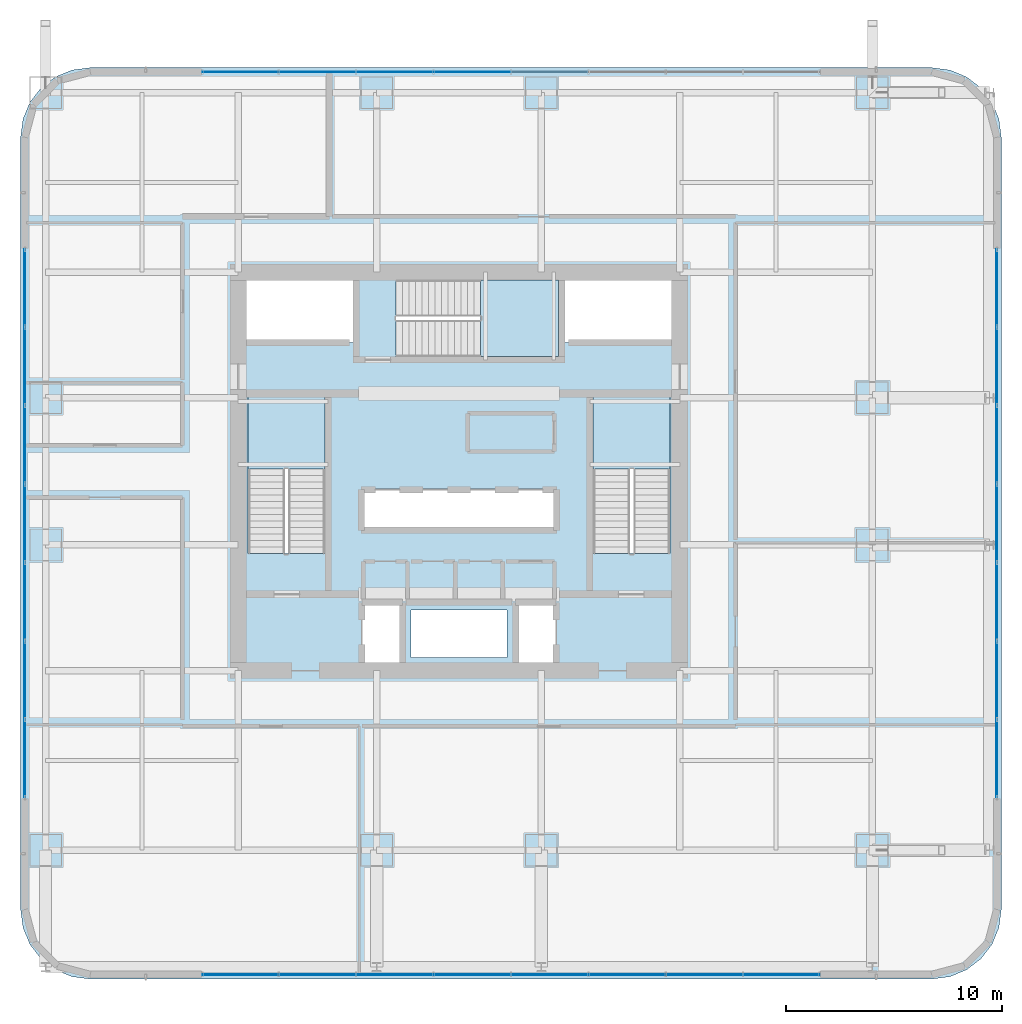
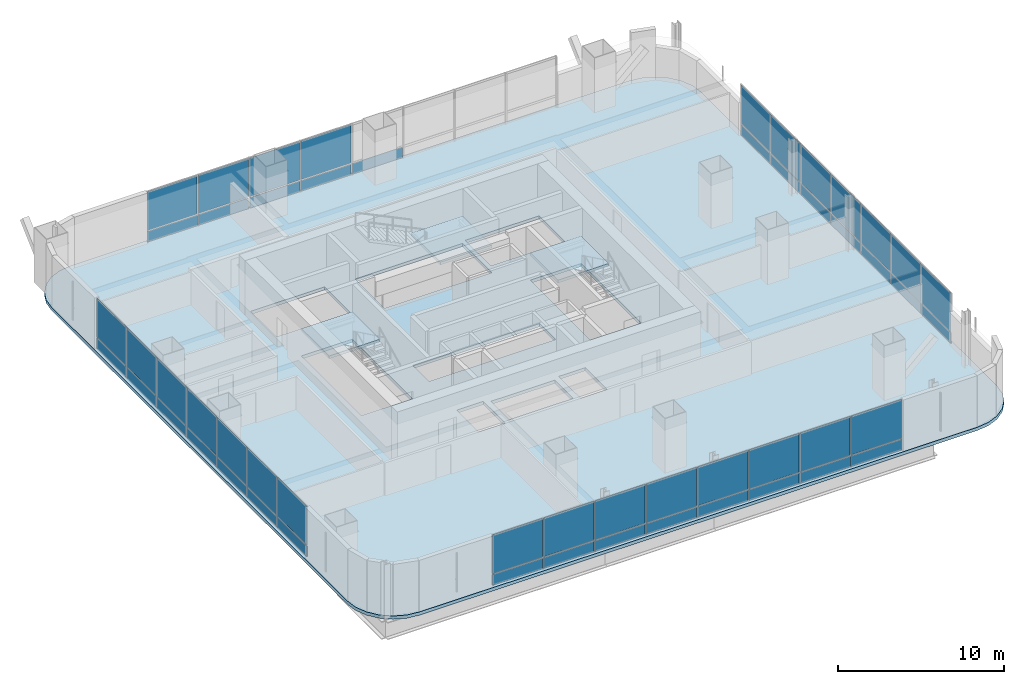
# One storey, part 25 of 42: 53 plates, 4 slabs, 7 elements without a shape of their own.
"""IFC4 building model written with IfcOpenShell, lengths in metres."""

from ifc_helpers import new_model, si_unit, direction, frame, origin, origin_2d, place, context, subcontext, project, spatial, polyline, rectangle, outline, extrude, material, layer, layer_set, type_object, element, aggregate, save


model = new_model("IFC4")

# Units and contexts
model_context = context("Model", 3, precision=1e-05, world=origin(), true_north=direction((0.0, 1.0)))
body_context = subcontext(model_context, "Body", "Model", "MODEL_VIEW")
ifc_project = project(units=[si_unit("LENGTHUNIT", "METRE"), si_unit("AREAUNIT", "SQUARE_METRE"), si_unit("VOLUMEUNIT", "CUBIC_METRE"), si_unit("PLANEANGLEUNIT", "RADIAN"), si_unit("MASSUNIT", "GRAM", prefix="KILO")], contexts=[model_context])

# Site, building, storey
site_placement = place(None, origin())
site = spatial("IfcSite", under=ifc_project, at=site_placement, CompositionType="ELEMENT")
building_placement = place(site_placement, origin())
building = spatial("IfcBuilding", under=site, at=building_placement, Name="Punatoya Terracotta Tower", CompositionType="ELEMENT")
storey_placement = place(building_placement, frame((0.0, 0.0, 88.949951171875)))
storey = spatial("IfcBuildingStorey", under=building, at=storey_placement, Name="L20", CompositionType="ELEMENT", Elevation=88.949951171875)

# Curtain wall, plates
ifc_material_1 = material(Name="Aluminium 6063-T6 + Double Low-E Glass", Category="aluminium")
curtain_wall_type = type_object("IfcCurtainWallType", Name="CW-M1", PredefinedType="NOTDEFINED", material=ifc_material_1)
curtain_wall_1_placement = place(storey_placement, origin())
curtain_wall_1 = element("IfcCurtainWall", 1, at=curtain_wall_1_placement, inside=storey, type_object=curtain_wall_type, Name="L20 Curtain Wall CW-L20-S01-1", PredefinedType="NOTDEFINED")
ifc_material_2 = material(Name="Double Low-E Clear Vision Glass", Category="glass")
ifc_layer_1 = layer(ifc_material_2, 0.028076171875)
ifc_layer_set_1 = layer_set([ifc_layer_1], Name="Double Low-E Clear Vision Glass")
plate_type_1 = type_object("IfcPlateType", Name="PLT-GLZ-28", PredefinedType="CURTAIN_PANEL", material=ifc_layer_set_1)
plate_1_placement = place(storey_placement, frame((-10.112548828125, -23.25, 0.89013671875), z_axis=(0.0, 0.0, 1.0), x_axis=(1.0, 0.0, 0.0)))
plate_1 = element("IfcPlate", 2, at=plate_1_placement, type_object=plate_type_1, Name="CW-L20-S01-1 Vision Glass Panel 1", PredefinedType="CURTAIN_PANEL", context=body_context, shape_type="SweptSolid", body=[
    extrude(rectangle(XDim=3.489990234375, YDim=0.028076171875, at=origin_2d()), origin(), (0.0, 0.0, 1.0), 2.840087890625),
])
plate_2_placement = place(storey_placement, frame((-6.53759765625, -23.25, 0.89013671875), z_axis=(0.0, 0.0, 1.0), x_axis=(1.0, 0.0, 0.0)))
plate_2 = element("IfcPlate", 3, at=plate_2_placement, type_object=plate_type_1, Name="CW-L20-S01-1 Vision Glass Panel 2", PredefinedType="CURTAIN_PANEL", context=body_context, shape_type="SweptSolid", body=[
    extrude(rectangle(XDim=3.489990234375, YDim=0.028076171875, at=origin_2d()), origin(), (0.0, 0.0, 1.0), 2.840087890625),
])
plate_3_placement = place(storey_placement, frame((-2.96240234375, -23.25, 0.89013671875), z_axis=(0.0, 0.0, 1.0), x_axis=(1.0, 0.0, 0.0)))
plate_3 = element("IfcPlate", 4, at=plate_3_placement, type_object=plate_type_1, Name="CW-L20-S01-1 Vision Glass Panel 3", PredefinedType="CURTAIN_PANEL", context=body_context, shape_type="SweptSolid", body=[
    extrude(rectangle(XDim=3.489990234375, YDim=0.028076171875, at=origin_2d()), origin(), (0.0, 0.0, 1.0), 2.840087890625),
])
plate_4_placement = place(storey_placement, frame((0.612548828125, -23.25, 0.89013671875), z_axis=(0.0, 0.0, 1.0), x_axis=(1.0, 0.0, 0.0)))
plate_4 = element("IfcPlate", 5, at=plate_4_placement, type_object=plate_type_1, Name="CW-L20-S01-1 Vision Glass Panel 4", PredefinedType="CURTAIN_PANEL", context=body_context, shape_type="SweptSolid", body=[
    extrude(rectangle(XDim=3.489990234375, YDim=0.028076171875, at=origin_2d()), origin(), (0.0, 0.0, 1.0), 2.840087890625),
])
plate_5_placement = place(storey_placement, frame((4.1875, -23.25, 0.89013671875), z_axis=(0.0, 0.0, 1.0), x_axis=(1.0, 0.0, 0.0)))
plate_5 = element("IfcPlate", 6, at=plate_5_placement, type_object=plate_type_1, Name="CW-L20-S01-1 Vision Glass Panel 5", PredefinedType="CURTAIN_PANEL", context=body_context, shape_type="SweptSolid", body=[
    extrude(rectangle(XDim=3.489990234375, YDim=0.028076171875, at=origin_2d()), origin(), (0.0, 0.0, 1.0), 2.840087890625),
])
plate_6_placement = place(storey_placement, frame((7.762451171875, -23.25, 0.89013671875), z_axis=(0.0, 0.0, 1.0), x_axis=(1.0, 0.0, 0.0)))
plate_6 = element("IfcPlate", 7, at=plate_6_placement, type_object=plate_type_1, Name="CW-L20-S01-1 Vision Glass Panel 6", PredefinedType="CURTAIN_PANEL", context=body_context, shape_type="SweptSolid", body=[
    extrude(rectangle(XDim=3.489990234375, YDim=0.028076171875, at=origin_2d()), origin(), (0.0, 0.0, 1.0), 2.840087890625),
])
plate_7_placement = place(storey_placement, frame((11.33740234375, -23.25, 0.89013671875), z_axis=(0.0, 0.0, 1.0), x_axis=(1.0, 0.0, 0.0)))
plate_7 = element("IfcPlate", 8, at=plate_7_placement, type_object=plate_type_1, Name="CW-L20-S01-1 Vision Glass Panel 7", PredefinedType="CURTAIN_PANEL", context=body_context, shape_type="SweptSolid", body=[
    extrude(rectangle(XDim=3.489990234375, YDim=0.028076171875, at=origin_2d()), origin(), (0.0, 0.0, 1.0), 2.840087890625),
])
plate_8_placement = place(storey_placement, frame((14.91259765625, -23.25, 0.89013671875), z_axis=(0.0, 0.0, 1.0), x_axis=(1.0, 0.0, 0.0)))
plate_8 = element("IfcPlate", 9, at=plate_8_placement, type_object=plate_type_1, Name="CW-L20-S01-1 Vision Glass Panel 8", PredefinedType="CURTAIN_PANEL", context=body_context, shape_type="SweptSolid", body=[
    extrude(rectangle(XDim=3.489990234375, YDim=0.028076171875, at=origin_2d()), origin(), (0.0, 0.0, 1.0), 2.840087890625),
])

curtain_wall_2_placement = place(storey_placement, origin())
curtain_wall_2 = element("IfcCurtainWall", 10, at=curtain_wall_2_placement, inside=storey, type_object=curtain_wall_type, Name="L20 Curtain Wall CW-L20-E05-1", PredefinedType="NOTDEFINED")
plate_9_placement = place(storey_placement, frame((24.85009765625, -13.28564453125, 0.89013671875), z_axis=(0.0, 0.0, 1.0), x_axis=(0.0, 1.0, 0.0)))
plate_9 = element("IfcPlate", 11, at=plate_9_placement, type_object=plate_type_1, Name="CW-L20-E05-1 Vision Glass Panel 1", PredefinedType="CURTAIN_PANEL", context=body_context, shape_type="SweptSolid", body=[
    extrude(rectangle(XDim=3.543701171875, YDim=0.028076171875, at=origin_2d()), origin(), (0.0, 0.0, 1.0), 2.840087890625),
])
plate_10_placement = place(storey_placement, frame((24.85009765625, -9.656982421875, 0.89013671875), z_axis=(0.0, 0.0, 1.0), x_axis=(0.0, 1.0, 0.0)))
plate_10 = element("IfcPlate", 12, at=plate_10_placement, type_object=plate_type_1, Name="CW-L20-E05-1 Vision Glass Panel 2", PredefinedType="CURTAIN_PANEL", context=body_context, shape_type="SweptSolid", body=[
    extrude(rectangle(XDim=3.543701171875, YDim=0.028076171875, at=origin_2d()), origin(), (0.0, 0.0, 1.0), 2.840087890625),
])
plate_11_placement = place(storey_placement, frame((24.85009765625, -6.028564453125, 0.89013671875), z_axis=(0.0, 0.0, 1.0), x_axis=(0.0, 1.0, 0.0)))
plate_11 = element("IfcPlate", 13, at=plate_11_placement, type_object=plate_type_1, Name="CW-L20-E05-1 Vision Glass Panel 3", PredefinedType="CURTAIN_PANEL", context=body_context, shape_type="SweptSolid", body=[
    extrude(rectangle(XDim=3.543701171875, YDim=0.028076171875, at=origin_2d()), origin(), (0.0, 0.0, 1.0), 2.840087890625),
])
plate_12_placement = place(storey_placement, frame((24.85009765625, -2.39990234375, 0.89013671875), z_axis=(0.0, 0.0, 1.0), x_axis=(0.0, 1.0, 0.0)))
plate_12 = element("IfcPlate", 14, at=plate_12_placement, type_object=plate_type_1, Name="CW-L20-E05-1 Vision Glass Panel 4", PredefinedType="CURTAIN_PANEL", context=body_context, shape_type="SweptSolid", body=[
    extrude(rectangle(XDim=3.543701171875, YDim=0.028076171875, at=origin_2d()), origin(), (0.0, 0.0, 1.0), 2.840087890625),
])
plate_13_placement = place(storey_placement, frame((24.85009765625, 1.228515625, 0.89013671875), z_axis=(0.0, 0.0, 1.0), x_axis=(0.0, 1.0, 0.0)))
plate_13 = element("IfcPlate", 15, at=plate_13_placement, type_object=plate_type_1, Name="CW-L20-E05-1 Vision Glass Panel 5", PredefinedType="CURTAIN_PANEL", context=body_context, shape_type="SweptSolid", body=[
    extrude(rectangle(XDim=3.543701171875, YDim=0.028076171875, at=origin_2d()), origin(), (0.0, 0.0, 1.0), 2.840087890625),
])
plate_14_placement = place(storey_placement, frame((24.85009765625, 4.857177734375, 0.89013671875), z_axis=(0.0, 0.0, 1.0), x_axis=(0.0, 1.0, 0.0)))
plate_14 = element("IfcPlate", 16, at=plate_14_placement, type_object=plate_type_1, Name="CW-L20-E05-1 Vision Glass Panel 6", PredefinedType="CURTAIN_PANEL", context=body_context, shape_type="SweptSolid", body=[
    extrude(rectangle(XDim=3.543701171875, YDim=0.028076171875, at=origin_2d()), origin(), (0.0, 0.0, 1.0), 2.840087890625),
])
plate_15_placement = place(storey_placement, frame((24.85009765625, 8.485595703125, 0.89013671875), z_axis=(0.0, 0.0, 1.0), x_axis=(0.0, 1.0, 0.0)))
plate_15 = element("IfcPlate", 17, at=plate_15_placement, type_object=plate_type_1, Name="CW-L20-E05-1 Vision Glass Panel 7", PredefinedType="CURTAIN_PANEL", context=body_context, shape_type="SweptSolid", body=[
    extrude(rectangle(XDim=3.543701171875, YDim=0.028076171875, at=origin_2d()), origin(), (0.0, 0.0, 1.0), 2.840087890625),
])

curtain_wall_3_placement = place(storey_placement, origin())
curtain_wall_3 = element("IfcCurtainWall", 18, at=curtain_wall_3_placement, inside=storey, type_object=curtain_wall_type, Name="L20 Curtain Wall CW-L20-N09-1", PredefinedType="NOTDEFINED")
plate_16_placement = place(storey_placement, frame((0.612548828125, 18.449951171875, 0.89013671875), z_axis=(0.0, 0.0, 1.0), x_axis=(-1.0, 0.0, 0.0)))
plate_16 = element("IfcPlate", 19, at=plate_16_placement, type_object=plate_type_1, Name="CW-L20-N09-1 Vision Glass Panel 5", PredefinedType="CURTAIN_PANEL", context=body_context, shape_type="SweptSolid", body=[
    extrude(rectangle(XDim=3.489990234375, YDim=0.028076171875, at=origin_2d()), origin(), (0.0, 0.0, 1.0), 2.840087890625),
])
plate_17_placement = place(storey_placement, frame((-2.96240234375, 18.449951171875, 0.89013671875), z_axis=(0.0, 0.0, 1.0), x_axis=(-1.0, 0.0, 0.0)))
plate_17 = element("IfcPlate", 20, at=plate_17_placement, type_object=plate_type_1, Name="CW-L20-N09-1 Vision Glass Panel 6", PredefinedType="CURTAIN_PANEL", context=body_context, shape_type="SweptSolid", body=[
    extrude(rectangle(XDim=3.489990234375, YDim=0.028076171875, at=origin_2d()), origin(), (0.0, 0.0, 1.0), 2.840087890625),
])
plate_18_placement = place(storey_placement, frame((-6.53759765625, 18.449951171875, 0.89013671875), z_axis=(0.0, 0.0, 1.0), x_axis=(-1.0, 0.0, 0.0)))
plate_18 = element("IfcPlate", 21, at=plate_18_placement, type_object=plate_type_1, Name="CW-L20-N09-1 Vision Glass Panel 7", PredefinedType="CURTAIN_PANEL", context=body_context, shape_type="SweptSolid", body=[
    extrude(rectangle(XDim=3.489990234375, YDim=0.028076171875, at=origin_2d()), origin(), (0.0, 0.0, 1.0), 2.840087890625),
])
plate_19_placement = place(storey_placement, frame((-10.112548828125, 18.449951171875, 0.89013671875), z_axis=(0.0, 0.0, 1.0), x_axis=(-1.0, 0.0, 0.0)))
plate_19 = element("IfcPlate", 22, at=plate_19_placement, type_object=plate_type_1, Name="CW-L20-N09-1 Vision Glass Panel 8", PredefinedType="CURTAIN_PANEL", context=body_context, shape_type="SweptSolid", body=[
    extrude(rectangle(XDim=3.489990234375, YDim=0.028076171875, at=origin_2d()), origin(), (0.0, 0.0, 1.0), 2.840087890625),
])

curtain_wall_4_placement = place(storey_placement, origin())
curtain_wall_4 = element("IfcCurtainWall", 23, at=curtain_wall_4_placement, inside=storey, type_object=curtain_wall_type, Name="L20 Curtain Wall CW-L20-W13-1", PredefinedType="NOTDEFINED")
plate_20_placement = place(storey_placement, frame((-20.050048828125, 8.485595703125, 0.89013671875), z_axis=(0.0, 0.0, 1.0), x_axis=(0.0, -1.0, 0.0)))
plate_20 = element("IfcPlate", 24, at=plate_20_placement, type_object=plate_type_1, Name="CW-L20-W13-1 Vision Glass Panel 1", PredefinedType="CURTAIN_PANEL", context=body_context, shape_type="SweptSolid", body=[
    extrude(rectangle(XDim=3.543701171875, YDim=0.028076171875, at=origin_2d()), origin(), (0.0, 0.0, 1.0), 2.840087890625),
])
plate_21_placement = place(storey_placement, frame((-20.050048828125, 4.857177734375, 0.89013671875), z_axis=(0.0, 0.0, 1.0), x_axis=(0.0, -1.0, 0.0)))
plate_21 = element("IfcPlate", 25, at=plate_21_placement, type_object=plate_type_1, Name="CW-L20-W13-1 Vision Glass Panel 2", PredefinedType="CURTAIN_PANEL", context=body_context, shape_type="SweptSolid", body=[
    extrude(rectangle(XDim=3.543701171875, YDim=0.028076171875, at=origin_2d()), origin(), (0.0, 0.0, 1.0), 2.840087890625),
])
plate_22_placement = place(storey_placement, frame((-20.050048828125, 1.228515625, 0.89013671875), z_axis=(0.0, 0.0, 1.0), x_axis=(0.0, -1.0, 0.0)))
plate_22 = element("IfcPlate", 26, at=plate_22_placement, type_object=plate_type_1, Name="CW-L20-W13-1 Vision Glass Panel 3", PredefinedType="CURTAIN_PANEL", context=body_context, shape_type="SweptSolid", body=[
    extrude(rectangle(XDim=3.543701171875, YDim=0.028076171875, at=origin_2d()), origin(), (0.0, 0.0, 1.0), 2.840087890625),
])
plate_23_placement = place(storey_placement, frame((-20.050048828125, -2.39990234375, 0.89013671875), z_axis=(0.0, 0.0, 1.0), x_axis=(0.0, -1.0, 0.0)))
plate_23 = element("IfcPlate", 27, at=plate_23_placement, type_object=plate_type_1, Name="CW-L20-W13-1 Vision Glass Panel 4", PredefinedType="CURTAIN_PANEL", context=body_context, shape_type="SweptSolid", body=[
    extrude(rectangle(XDim=3.543701171875, YDim=0.028076171875, at=origin_2d()), origin(), (0.0, 0.0, 1.0), 2.840087890625),
])
plate_24_placement = place(storey_placement, frame((-20.050048828125, -6.028564453125, 0.89013671875), z_axis=(0.0, 0.0, 1.0), x_axis=(0.0, -1.0, 0.0)))
plate_24 = element("IfcPlate", 28, at=plate_24_placement, type_object=plate_type_1, Name="CW-L20-W13-1 Vision Glass Panel 5", PredefinedType="CURTAIN_PANEL", context=body_context, shape_type="SweptSolid", body=[
    extrude(rectangle(XDim=3.543701171875, YDim=0.028076171875, at=origin_2d()), origin(), (0.0, 0.0, 1.0), 2.840087890625),
])
plate_25_placement = place(storey_placement, frame((-20.050048828125, -9.656982421875, 0.89013671875), z_axis=(0.0, 0.0, 1.0), x_axis=(0.0, -1.0, 0.0)))
plate_25 = element("IfcPlate", 29, at=plate_25_placement, type_object=plate_type_1, Name="CW-L20-W13-1 Vision Glass Panel 6", PredefinedType="CURTAIN_PANEL", context=body_context, shape_type="SweptSolid", body=[
    extrude(rectangle(XDim=3.543701171875, YDim=0.028076171875, at=origin_2d()), origin(), (0.0, 0.0, 1.0), 2.840087890625),
])
plate_26_placement = place(storey_placement, frame((-20.050048828125, -13.28564453125, 0.89013671875), z_axis=(0.0, 0.0, 1.0), x_axis=(0.0, -1.0, 0.0)))
plate_26 = element("IfcPlate", 30, at=plate_26_placement, type_object=plate_type_1, Name="CW-L20-W13-1 Vision Glass Panel 7", PredefinedType="CURTAIN_PANEL", context=body_context, shape_type="SweptSolid", body=[
    extrude(rectangle(XDim=3.543701171875, YDim=0.028076171875, at=origin_2d()), origin(), (0.0, 0.0, 1.0), 2.840087890625),
])

# Plate
ifc_material_3 = material(Name="Insulated Terracotta-Backed Spandrel Panel", Category="masonry")
ifc_layer_2 = layer(ifc_material_3, 0.044921875)
ifc_layer_set_2 = layer_set([ifc_layer_2], Name="Insulated Terracotta-Backed Spandrel Panel")
plate_type_2 = type_object("IfcPlateType", Name="PLT-SPN-45", PredefinedType="CURTAIN_PANEL", material=ifc_layer_set_2)
plate_27_placement = place(storey_placement, frame((-10.112548828125, -23.25, 0.0400390625), z_axis=(0.0, 0.0, 1.0), x_axis=(1.0, 0.0, 0.0)))
plate_27 = element("IfcPlate", 31, at=plate_27_placement, type_object=plate_type_2, Name="CW-L20-S01-1 Terracotta Spandrel Panel 1", PredefinedType="CURTAIN_PANEL", context=body_context, shape_type="SweptSolid", body=[
    extrude(rectangle(XDim=3.489990234375, YDim=0.044921875, at=origin_2d()), origin(), (0.0, 0.0, 1.0), 0.77490234375),
])

plate_28_placement = place(storey_placement, frame((-6.53759765625, -23.25, 0.0400390625), z_axis=(0.0, 0.0, 1.0), x_axis=(1.0, 0.0, 0.0)))
plate_28 = element("IfcPlate", 32, at=plate_28_placement, type_object=plate_type_2, Name="CW-L20-S01-1 Terracotta Spandrel Panel 2", PredefinedType="CURTAIN_PANEL", context=body_context, shape_type="SweptSolid", body=[
    extrude(rectangle(XDim=3.489990234375, YDim=0.044921875, at=origin_2d()), origin(), (0.0, 0.0, 1.0), 0.77490234375),
])

plate_29_placement = place(storey_placement, frame((-2.96240234375, -23.25, 0.0400390625), z_axis=(0.0, 0.0, 1.0), x_axis=(1.0, 0.0, 0.0)))
plate_29 = element("IfcPlate", 33, at=plate_29_placement, type_object=plate_type_2, Name="CW-L20-S01-1 Terracotta Spandrel Panel 3", PredefinedType="CURTAIN_PANEL", context=body_context, shape_type="SweptSolid", body=[
    extrude(rectangle(XDim=3.489990234375, YDim=0.044921875, at=origin_2d()), origin(), (0.0, 0.0, 1.0), 0.77490234375),
])

plate_30_placement = place(storey_placement, frame((0.612548828125, -23.25, 0.0400390625), z_axis=(0.0, 0.0, 1.0), x_axis=(1.0, 0.0, 0.0)))
plate_30 = element("IfcPlate", 34, at=plate_30_placement, type_object=plate_type_2, Name="CW-L20-S01-1 Terracotta Spandrel Panel 4", PredefinedType="CURTAIN_PANEL", context=body_context, shape_type="SweptSolid", body=[
    extrude(rectangle(XDim=3.489990234375, YDim=0.044921875, at=origin_2d()), origin(), (0.0, 0.0, 1.0), 0.77490234375),
])

plate_31_placement = place(storey_placement, frame((4.1875, -23.25, 0.0400390625), z_axis=(0.0, 0.0, 1.0), x_axis=(1.0, 0.0, 0.0)))
plate_31 = element("IfcPlate", 35, at=plate_31_placement, type_object=plate_type_2, Name="CW-L20-S01-1 Terracotta Spandrel Panel 5", PredefinedType="CURTAIN_PANEL", context=body_context, shape_type="SweptSolid", body=[
    extrude(rectangle(XDim=3.489990234375, YDim=0.044921875, at=origin_2d()), origin(), (0.0, 0.0, 1.0), 0.77490234375),
])

plate_32_placement = place(storey_placement, frame((7.762451171875, -23.25, 0.0400390625), z_axis=(0.0, 0.0, 1.0), x_axis=(1.0, 0.0, 0.0)))
plate_32 = element("IfcPlate", 36, at=plate_32_placement, type_object=plate_type_2, Name="CW-L20-S01-1 Terracotta Spandrel Panel 6", PredefinedType="CURTAIN_PANEL", context=body_context, shape_type="SweptSolid", body=[
    extrude(rectangle(XDim=3.489990234375, YDim=0.044921875, at=origin_2d()), origin(), (0.0, 0.0, 1.0), 0.77490234375),
])

plate_33_placement = place(storey_placement, frame((11.33740234375, -23.25, 0.0400390625), z_axis=(0.0, 0.0, 1.0), x_axis=(1.0, 0.0, 0.0)))
plate_33 = element("IfcPlate", 37, at=plate_33_placement, type_object=plate_type_2, Name="CW-L20-S01-1 Terracotta Spandrel Panel 7", PredefinedType="CURTAIN_PANEL", context=body_context, shape_type="SweptSolid", body=[
    extrude(rectangle(XDim=3.489990234375, YDim=0.044921875, at=origin_2d()), origin(), (0.0, 0.0, 1.0), 0.77490234375),
])

plate_34_placement = place(storey_placement, frame((14.91259765625, -23.25, 0.0400390625), z_axis=(0.0, 0.0, 1.0), x_axis=(1.0, 0.0, 0.0)))
plate_34 = element("IfcPlate", 38, at=plate_34_placement, type_object=plate_type_2, Name="CW-L20-S01-1 Terracotta Spandrel Panel 8", PredefinedType="CURTAIN_PANEL", context=body_context, shape_type="SweptSolid", body=[
    extrude(rectangle(XDim=3.489990234375, YDim=0.044921875, at=origin_2d()), origin(), (0.0, 0.0, 1.0), 0.77490234375),
])

aggregate(curtain_wall_1, [plate_27, plate_1, plate_28, plate_2, plate_29, plate_3, plate_30, plate_4, plate_31, plate_5, plate_32, plate_6, plate_33, plate_7, plate_34, plate_8])

plate_35_placement = place(storey_placement, frame((24.85009765625, -13.28564453125, 0.0400390625), z_axis=(0.0, 0.0, 1.0), x_axis=(0.0, 1.0, 0.0)))
plate_35 = element("IfcPlate", 39, at=plate_35_placement, type_object=plate_type_2, Name="CW-L20-E05-1 Terracotta Spandrel Panel 1", PredefinedType="CURTAIN_PANEL", context=body_context, shape_type="SweptSolid", body=[
    extrude(rectangle(XDim=3.543701171875, YDim=0.044921875, at=origin_2d()), origin(), (0.0, 0.0, 1.0), 0.77490234375),
])

plate_36_placement = place(storey_placement, frame((24.85009765625, -9.656982421875, 0.0400390625), z_axis=(0.0, 0.0, 1.0), x_axis=(0.0, 1.0, 0.0)))
plate_36 = element("IfcPlate", 40, at=plate_36_placement, type_object=plate_type_2, Name="CW-L20-E05-1 Terracotta Spandrel Panel 2", PredefinedType="CURTAIN_PANEL", context=body_context, shape_type="SweptSolid", body=[
    extrude(rectangle(XDim=3.543701171875, YDim=0.044921875, at=origin_2d()), origin(), (0.0, 0.0, 1.0), 0.77490234375),
])

plate_37_placement = place(storey_placement, frame((24.85009765625, -6.028564453125, 0.0400390625), z_axis=(0.0, 0.0, 1.0), x_axis=(0.0, 1.0, 0.0)))
plate_37 = element("IfcPlate", 41, at=plate_37_placement, type_object=plate_type_2, Name="CW-L20-E05-1 Terracotta Spandrel Panel 3", PredefinedType="CURTAIN_PANEL", context=body_context, shape_type="SweptSolid", body=[
    extrude(rectangle(XDim=3.543701171875, YDim=0.044921875, at=origin_2d()), origin(), (0.0, 0.0, 1.0), 0.77490234375),
])

plate_38_placement = place(storey_placement, frame((24.85009765625, -2.39990234375, 0.0400390625), z_axis=(0.0, 0.0, 1.0), x_axis=(0.0, 1.0, 0.0)))
plate_38 = element("IfcPlate", 42, at=plate_38_placement, type_object=plate_type_2, Name="CW-L20-E05-1 Terracotta Spandrel Panel 4", PredefinedType="CURTAIN_PANEL", context=body_context, shape_type="SweptSolid", body=[
    extrude(rectangle(XDim=3.543701171875, YDim=0.044921875, at=origin_2d()), origin(), (0.0, 0.0, 1.0), 0.77490234375),
])

plate_39_placement = place(storey_placement, frame((24.85009765625, 1.228515625, 0.0400390625), z_axis=(0.0, 0.0, 1.0), x_axis=(0.0, 1.0, 0.0)))
plate_39 = element("IfcPlate", 43, at=plate_39_placement, type_object=plate_type_2, Name="CW-L20-E05-1 Terracotta Spandrel Panel 5", PredefinedType="CURTAIN_PANEL", context=body_context, shape_type="SweptSolid", body=[
    extrude(rectangle(XDim=3.543701171875, YDim=0.044921875, at=origin_2d()), origin(), (0.0, 0.0, 1.0), 0.77490234375),
])

plate_40_placement = place(storey_placement, frame((24.85009765625, 4.857177734375, 0.0400390625), z_axis=(0.0, 0.0, 1.0), x_axis=(0.0, 1.0, 0.0)))
plate_40 = element("IfcPlate", 44, at=plate_40_placement, type_object=plate_type_2, Name="CW-L20-E05-1 Terracotta Spandrel Panel 6", PredefinedType="CURTAIN_PANEL", context=body_context, shape_type="SweptSolid", body=[
    extrude(rectangle(XDim=3.543701171875, YDim=0.044921875, at=origin_2d()), origin(), (0.0, 0.0, 1.0), 0.77490234375),
])

plate_41_placement = place(storey_placement, frame((24.85009765625, 8.485595703125, 0.0400390625), z_axis=(0.0, 0.0, 1.0), x_axis=(0.0, 1.0, 0.0)))
plate_41 = element("IfcPlate", 45, at=plate_41_placement, type_object=plate_type_2, Name="CW-L20-E05-1 Terracotta Spandrel Panel 7", PredefinedType="CURTAIN_PANEL", context=body_context, shape_type="SweptSolid", body=[
    extrude(rectangle(XDim=3.543701171875, YDim=0.044921875, at=origin_2d()), origin(), (0.0, 0.0, 1.0), 0.77490234375),
])

aggregate(curtain_wall_2, [plate_35, plate_9, plate_36, plate_10, plate_37, plate_11, plate_38, plate_12, plate_39, plate_13, plate_40, plate_14, plate_41, plate_15])

plate_42_placement = place(storey_placement, frame((4.1875, 18.449951171875, 0.0400390625), z_axis=(0.0, 0.0, 1.0), x_axis=(-1.0, 0.0, 0.0)))
plate_42 = element("IfcPlate", 46, at=plate_42_placement, type_object=plate_type_2, Name="CW-L20-N09-1 Terracotta Spandrel Panel 4", PredefinedType="CURTAIN_PANEL", context=body_context, shape_type="SweptSolid", body=[
    extrude(rectangle(XDim=3.489990234375, YDim=0.044921875, at=origin_2d()), origin(), (0.0, 0.0, 1.0), 0.77490234375),
])

plate_43_placement = place(storey_placement, frame((0.612548828125, 18.449951171875, 0.0400390625), z_axis=(0.0, 0.0, 1.0), x_axis=(-1.0, 0.0, 0.0)))
plate_43 = element("IfcPlate", 47, at=plate_43_placement, type_object=plate_type_2, Name="CW-L20-N09-1 Terracotta Spandrel Panel 5", PredefinedType="CURTAIN_PANEL", context=body_context, shape_type="SweptSolid", body=[
    extrude(rectangle(XDim=3.489990234375, YDim=0.044921875, at=origin_2d()), origin(), (0.0, 0.0, 1.0), 0.77490234375),
])

plate_44_placement = place(storey_placement, frame((-2.96240234375, 18.449951171875, 0.0400390625), z_axis=(0.0, 0.0, 1.0), x_axis=(-1.0, 0.0, 0.0)))
plate_44 = element("IfcPlate", 48, at=plate_44_placement, type_object=plate_type_2, Name="CW-L20-N09-1 Terracotta Spandrel Panel 6", PredefinedType="CURTAIN_PANEL", context=body_context, shape_type="SweptSolid", body=[
    extrude(rectangle(XDim=3.489990234375, YDim=0.044921875, at=origin_2d()), origin(), (0.0, 0.0, 1.0), 0.77490234375),
])

plate_45_placement = place(storey_placement, frame((-6.53759765625, 18.449951171875, 0.0400390625), z_axis=(0.0, 0.0, 1.0), x_axis=(-1.0, 0.0, 0.0)))
plate_45 = element("IfcPlate", 49, at=plate_45_placement, type_object=plate_type_2, Name="CW-L20-N09-1 Terracotta Spandrel Panel 7", PredefinedType="CURTAIN_PANEL", context=body_context, shape_type="SweptSolid", body=[
    extrude(rectangle(XDim=3.489990234375, YDim=0.044921875, at=origin_2d()), origin(), (0.0, 0.0, 1.0), 0.77490234375),
])

plate_46_placement = place(storey_placement, frame((-10.112548828125, 18.449951171875, 0.0400390625), z_axis=(0.0, 0.0, 1.0), x_axis=(-1.0, 0.0, 0.0)))
plate_46 = element("IfcPlate", 50, at=plate_46_placement, type_object=plate_type_2, Name="CW-L20-N09-1 Terracotta Spandrel Panel 8", PredefinedType="CURTAIN_PANEL", context=body_context, shape_type="SweptSolid", body=[
    extrude(rectangle(XDim=3.489990234375, YDim=0.044921875, at=origin_2d()), origin(), (0.0, 0.0, 1.0), 0.77490234375),
])

aggregate(curtain_wall_3, [plate_42, plate_43, plate_16, plate_44, plate_17, plate_45, plate_18, plate_46, plate_19])

plate_47_placement = place(storey_placement, frame((-20.050048828125, 8.485595703125, 0.0400390625), z_axis=(0.0, 0.0, 1.0), x_axis=(0.0, -1.0, 0.0)))
plate_47 = element("IfcPlate", 51, at=plate_47_placement, type_object=plate_type_2, Name="CW-L20-W13-1 Terracotta Spandrel Panel 1", PredefinedType="CURTAIN_PANEL", context=body_context, shape_type="SweptSolid", body=[
    extrude(rectangle(XDim=3.543701171875, YDim=0.044921875, at=origin_2d()), origin(), (0.0, 0.0, 1.0), 0.77490234375),
])

plate_48_placement = place(storey_placement, frame((-20.050048828125, 4.857177734375, 0.0400390625), z_axis=(0.0, 0.0, 1.0), x_axis=(0.0, -1.0, 0.0)))
plate_48 = element("IfcPlate", 52, at=plate_48_placement, type_object=plate_type_2, Name="CW-L20-W13-1 Terracotta Spandrel Panel 2", PredefinedType="CURTAIN_PANEL", context=body_context, shape_type="SweptSolid", body=[
    extrude(rectangle(XDim=3.543701171875, YDim=0.044921875, at=origin_2d()), origin(), (0.0, 0.0, 1.0), 0.77490234375),
])

plate_49_placement = place(storey_placement, frame((-20.050048828125, 1.228515625, 0.0400390625), z_axis=(0.0, 0.0, 1.0), x_axis=(0.0, -1.0, 0.0)))
plate_49 = element("IfcPlate", 53, at=plate_49_placement, type_object=plate_type_2, Name="CW-L20-W13-1 Terracotta Spandrel Panel 3", PredefinedType="CURTAIN_PANEL", context=body_context, shape_type="SweptSolid", body=[
    extrude(rectangle(XDim=3.543701171875, YDim=0.044921875, at=origin_2d()), origin(), (0.0, 0.0, 1.0), 0.77490234375),
])

plate_50_placement = place(storey_placement, frame((-20.050048828125, -2.39990234375, 0.0400390625), z_axis=(0.0, 0.0, 1.0), x_axis=(0.0, -1.0, 0.0)))
plate_50 = element("IfcPlate", 54, at=plate_50_placement, type_object=plate_type_2, Name="CW-L20-W13-1 Terracotta Spandrel Panel 4", PredefinedType="CURTAIN_PANEL", context=body_context, shape_type="SweptSolid", body=[
    extrude(rectangle(XDim=3.543701171875, YDim=0.044921875, at=origin_2d()), origin(), (0.0, 0.0, 1.0), 0.77490234375),
])

plate_51_placement = place(storey_placement, frame((-20.050048828125, -6.028564453125, 0.0400390625), z_axis=(0.0, 0.0, 1.0), x_axis=(0.0, -1.0, 0.0)))
plate_51 = element("IfcPlate", 55, at=plate_51_placement, type_object=plate_type_2, Name="CW-L20-W13-1 Terracotta Spandrel Panel 5", PredefinedType="CURTAIN_PANEL", context=body_context, shape_type="SweptSolid", body=[
    extrude(rectangle(XDim=3.543701171875, YDim=0.044921875, at=origin_2d()), origin(), (0.0, 0.0, 1.0), 0.77490234375),
])

plate_52_placement = place(storey_placement, frame((-20.050048828125, -9.656982421875, 0.0400390625), z_axis=(0.0, 0.0, 1.0), x_axis=(0.0, -1.0, 0.0)))
plate_52 = element("IfcPlate", 56, at=plate_52_placement, type_object=plate_type_2, Name="CW-L20-W13-1 Terracotta Spandrel Panel 6", PredefinedType="CURTAIN_PANEL", context=body_context, shape_type="SweptSolid", body=[
    extrude(rectangle(XDim=3.543701171875, YDim=0.044921875, at=origin_2d()), origin(), (0.0, 0.0, 1.0), 0.77490234375),
])

plate_53_placement = place(storey_placement, frame((-20.050048828125, -13.28564453125, 0.0400390625), z_axis=(0.0, 0.0, 1.0), x_axis=(0.0, -1.0, 0.0)))
plate_53 = element("IfcPlate", 57, at=plate_53_placement, type_object=plate_type_2, Name="CW-L20-W13-1 Terracotta Spandrel Panel 7", PredefinedType="CURTAIN_PANEL", context=body_context, shape_type="SweptSolid", body=[
    extrude(rectangle(XDim=3.543701171875, YDim=0.044921875, at=origin_2d()), origin(), (0.0, 0.0, 1.0), 0.77490234375),
])

aggregate(curtain_wall_4, [plate_47, plate_20, plate_48, plate_21, plate_49, plate_22, plate_50, plate_23, plate_51, plate_24, plate_52, plate_25, plate_53, plate_26])

# Stair, slab
ifc_material_4 = material(Name="Concrete C40/50", Category="concrete")
stair_type_1 = type_object("IfcStairType", Name="STR-TER-1450", PredefinedType="HALF_TURN_STAIR", material=ifc_material_4)
stair_1_placement = place(storey_placement, origin())
stair_1 = element("IfcStair", 58, at=stair_1_placement, inside=storey, type_object=stair_type_1, Name="L20 Protected Core Exit Stair ST-3", PredefinedType="HALF_TURN_STAIR")
ifc_layer_3 = layer(ifc_material_4, 0.1650390625)
ifc_layer_set_3 = layer_set([ifc_layer_3], Name="Concrete C40/50")
slab_type_1 = type_object("IfcSlabType", Name="SLB-LND-165", PredefinedType="LANDING", material=ifc_layer_set_3)
slab_1_placement = place(storey_placement, frame((0.0, 0.0, 1.824951171875)))
slab_1 = element("IfcSlab", 59, at=slab_1_placement, type_object=slab_type_1, Name="ST-3 landing 1", PredefinedType="LANDING", context=body_context, shape_type="SweptSolid", body=[
    extrude(outline(polyline([(1.0, 5.300048828125), (4.60009765625, 5.300048828125), (4.60009765625, 8.85009765625), (1.0, 8.85009765625), (1.0, 5.300048828125)])), origin(), (0.0, 0.0, 1.0), 0.2001953125),
])
aggregate(stair_1, [slab_1])

stair_type_2 = type_object("IfcStairType", Name="STR-CORE-1550", PredefinedType="HALF_TURN_STAIR", material=ifc_material_4)
stair_2_placement = place(storey_placement, origin())
stair_2 = element("IfcStair", 60, at=stair_2_placement, inside=storey, type_object=stair_type_2, Name="L20 Protected Core Exit Stair ST-1", PredefinedType="HALF_TURN_STAIR")
ifc_layer_4 = layer(ifc_material_4, 0.179931640625)
ifc_layer_set_4 = layer_set([ifc_layer_4], Name="Concrete C40/50")
slab_type_2 = type_object("IfcSlabType", Name="SLB-LND-180", PredefinedType="LANDING", material=ifc_layer_set_4)
slab_2_placement = place(storey_placement, frame((0.0, 0.0, 1.824951171875)))
slab_2 = element("IfcSlab", 61, at=slab_2_placement, type_object=slab_type_2, Name="ST-1 landing 1", PredefinedType="LANDING", context=body_context, shape_type="SweptSolid", body=[
    extrude(outline(polyline([(-6.199951171875, 0.10009765625), (-6.199951171875, 3.449951171875), (-9.75, 3.449951171875), (-9.75, 0.10009765625), (-6.199951171875, 0.10009765625)])), origin(), (0.0, 0.0, 1.0), 0.2001953125),
])
aggregate(stair_2, [slab_2])

stair_type_3 = type_object("IfcStairType", Name="STR-LOB-1650", PredefinedType="HALF_TURN_STAIR", material=ifc_material_4)
stair_3_placement = place(storey_placement, origin())
stair_3 = element("IfcStair", 62, at=stair_3_placement, inside=storey, type_object=stair_type_3, Name="L20 Protected Core Exit Stair ST-2", PredefinedType="HALF_TURN_STAIR")
slab_3_placement = place(storey_placement, frame((0.0, 0.0, 1.824951171875)))
slab_3 = element("IfcSlab", 63, at=slab_3_placement, type_object=slab_type_2, Name="ST-2 landing 1", PredefinedType="LANDING", context=body_context, shape_type="SweptSolid", body=[
    extrude(outline(polyline([(9.75, 0.10009765625), (9.75, 3.449951171875), (6.199951171875, 3.449951171875), (6.199951171875, 0.10009765625), (9.75, 0.10009765625)])), origin(), (0.0, 0.0, 1.0), 0.2001953125),
])
aggregate(stair_3, [slab_3])

# Slab
ifc_layer_5 = layer(ifc_material_4, 0.239990234375)
ifc_layer_set_5 = layer_set([ifc_layer_5], Name="Concrete C40/50")
slab_type_3 = type_object("IfcSlabType", Name="SLB-OFF-240", PredefinedType="FLOOR", material=ifc_layer_set_5)
slab_4_placement = place(storey_placement, frame((0.0, 0.0, -0.239990234375)))
element("IfcSlab", 64, at=slab_4_placement, inside=storey, type_object=slab_type_3, Name="L20 Structural Floor Slab", PredefinedType="FLOOR", context=body_context, shape_type="SweptSolid", body=[
    extrude(outline(polyline([(-17.050048828125, -23.449951171875), (-17.878173828125, -23.341064453125), (-18.64990234375, -23.021240234375), (-19.312744140625, -22.5126953125), (-19.8212890625, -21.85009765625), (-20.14111328125, -21.078125), (-20.25, -20.25), (-20.25, 15.449951171875), (-20.14111328125, 16.2783203125), (-19.8212890625, 17.050048828125), (-19.312744140625, 17.712646484375), (-18.64990234375, 18.22119140625), (-17.878173828125, 18.541015625), (-17.050048828125, 18.64990234375), (21.85009765625, 18.64990234375), (22.67822265625, 18.541015625), (23.449951171875, 18.22119140625), (24.11279296875, 17.712646484375), (24.621337890625, 17.050048828125), (24.94091796875, 16.2783203125), (25.050048828125, 15.449951171875), (25.050048828125, -20.25), (24.94091796875, -21.078125), (24.621337890625, -21.85009765625), (24.11279296875, -22.5126953125), (23.449951171875, -23.021240234375), (22.67822265625, -23.341064453125), (21.85009765625, -23.449951171875), (-17.050048828125, -23.449951171875)]), holes=[polyline([(-2.6298828125, -6.179931640625), (-4.469970703125, -6.179931640625), (-4.469970703125, -8.820068359375), (-2.6298828125, -8.820068359375), (-2.6298828125, -6.179931640625)]), polyline([(0.02001953125, -8.594970703125), (2.219970703125, -8.594970703125), (2.219970703125, -6.405029296875), (0.02001953125, -6.405029296875), (-0.02001953125, -6.405029296875), (-2.219970703125, -6.405029296875), (-2.219970703125, -8.594970703125), (-0.02001953125, -8.594970703125), (0.02001953125, -8.594970703125)]), polyline([(-2.219970703125, -2.719970703125), (-2.179931640625, -2.719970703125), (-0.02001953125, -2.719970703125), (0.02001953125, -2.719970703125), (2.179931640625, -2.719970703125), (2.219970703125, -2.719970703125), (4.419921875, -2.719970703125), (4.419921875, -0.780029296875), (2.219970703125, -0.780029296875), (2.179931640625, -0.780029296875), (0.02001953125, -0.780029296875), (-0.02001953125, -0.780029296875), (-2.179931640625, -0.780029296875), (-2.219970703125, -0.780029296875), (-4.419921875, -0.780029296875), (-4.419921875, -2.719970703125), (-2.219970703125, -2.719970703125)]), polyline([(-6.199951171875, 3.449951171875), (-9.75, 3.449951171875), (-9.75, -3.79931640625), (-6.199951171875, -3.79931640625), (-6.199951171875, 3.449951171875)]), polyline([(4.60009765625, 5.300048828125), (4.60009765625, 8.85009765625), (-2.899169921875, 8.85009765625), (-2.899169921875, 5.300048828125), (4.60009765625, 5.300048828125)]), polyline([(-4.89990234375, 9.050048828125), (-10.050048828125, 9.050048828125), (-10.050048828125, 5.949951171875), (-4.89990234375, 5.949951171875), (-4.89990234375, 9.050048828125)]), polyline([(4.469970703125, -8.820068359375), (4.469970703125, -6.179931640625), (2.6298828125, -6.179931640625), (2.6298828125, -8.820068359375), (4.469970703125, -8.820068359375)]), polyline([(9.75, 3.449951171875), (6.199951171875, 3.449951171875), (6.199951171875, -3.79931640625), (9.75, -3.79931640625), (9.75, 3.449951171875)]), polyline([(10.050048828125, 5.949951171875), (10.050048828125, 9.050048828125), (4.89990234375, 9.050048828125), (4.89990234375, 5.949951171875), (10.050048828125, 5.949951171875)])]), origin(), (0.0, 0.0, 1.0), 0.239990234375),
])

save(model, "model.ifc")
